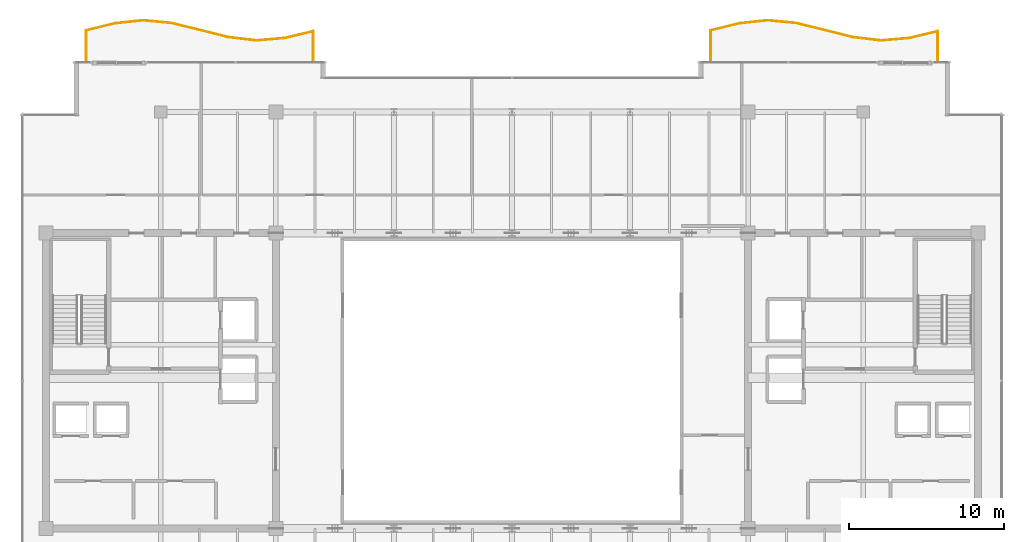
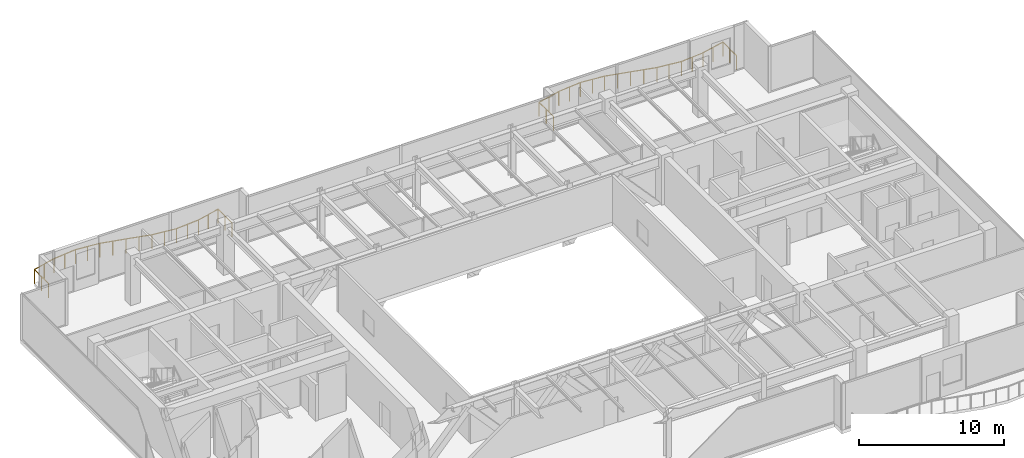
# One storey, part 31 of 31: 2 railings.
"""IFC4 building model written with IfcOpenShell, lengths in metres."""

from ifc_helpers import new_model, si_unit, direction, frame, origin, origin_2d, place, context, subcontext, project, spatial, circle, extrude, source, transform, mapped, material, type_object, type_shapes, element, save


model = new_model("IFC4")

# Units and contexts
model_context = context("Model", 3, precision=1e-05, world=origin(), true_north=direction((0.0, 1.0)))
body_context = subcontext(model_context, "Body", "Model", "MODEL_VIEW")
ifc_project = project(units=[si_unit("LENGTHUNIT", "METRE"), si_unit("AREAUNIT", "SQUARE_METRE"), si_unit("VOLUMEUNIT", "CUBIC_METRE"), si_unit("PLANEANGLEUNIT", "RADIAN"), si_unit("MASSUNIT", "GRAM", prefix="KILO")], contexts=[model_context])

# Site, building, storey
site_placement = place(None, origin())
site = spatial("IfcSite", under=ifc_project, at=site_placement, CompositionType="ELEMENT")
building_placement = place(site_placement, origin())
building = spatial("IfcBuilding", under=site, at=building_placement, Name="Haelvirn Gate Laboratories", CompositionType="ELEMENT")
storey_placement = place(building_placement, frame((0.0, 0.0, 310.199951171875)))
storey = spatial("IfcBuildingStorey", under=building, at=storey_placement, Name="L74", CompositionType="ELEMENT", Elevation=310.199951171875)

# Railings
ifc_material = material(Name="Laminated safety glass & bronze stainless steel 316L", Category="steel")
railing_type = type_object("IfcRailingType", Name="RLG-BAL-1200", PredefinedType="BALUSTRADE", material=ifc_material)
shared_shape_1 = source(origin(), body_context, "Body", "SweptSolid", [
    extrude(circle(Radius=0.02392578125, at=origin_2d()), frame((0.0, 0.0, 1.17578125), z_axis=(0.0, 1.0, 0.0), x_axis=(-1.0, 0.0, 0.0)), (0.0, 0.0, 1.0), 1.9501953125),
    extrude(circle(Radius=0.02392578125, at=origin_2d()), frame((0.0, 1.9501953125, 1.17578125), z_axis=(0.970348322391, 0.241710846327, 0.0), x_axis=(-0.241710846327, 0.970348322391, 0.0)), (0.0, 0.0, 1.0), 1.880615234375),
    extrude(circle(Radius=0.02392578125, at=origin_2d()), frame((1.824951171875, 2.40478515625, 1.17578125), z_axis=(0.994321727658, 0.106415703294, 0.0), x_axis=(-0.106415703294, 0.994321727658, 0.0)), (0.0, 0.0, 1.0), 1.83544921875),
    extrude(circle(Radius=0.02392578125, at=origin_2d()), frame((3.64990234375, 2.60009765625, 1.17578125), z_axis=(0.995381667027, -0.095996546539, 0.0), x_axis=(0.095996546539, 0.995381667027, 0.0)), (0.0, 0.0, 1.0), 1.833740234375),
    extrude(circle(Radius=0.02392578125, at=origin_2d()), frame((5.47509765625, 2.424072265625, 1.17578125), z_axis=(0.971375688338, -0.237548462646, 0.0), x_axis=(0.237548462646, 0.971375688338, 0.0)), (0.0, 0.0, 1.0), 1.878662109375),
    extrude(circle(Radius=0.02392578125, at=origin_2d()), frame((7.300048828125, 1.977783203125, 1.17578125), z_axis=(0.969367146089, -0.245616237417, 0.0), x_axis=(0.245616237417, 0.969367146089, 0.0)), (0.0, 0.0, 1.0), 1.882568359375),
    extrude(circle(Radius=0.02392578125, at=origin_2d()), frame((9.125, 1.515380859375, 1.17578125), z_axis=(0.993203107485, -0.116394103299, 0.0), x_axis=(0.116394103299, 0.993203107485, 0.0)), (0.0, 0.0, 1.0), 1.83740234375),
    extrude(circle(Radius=0.02392578125, at=origin_2d()), frame((10.949951171875, 1.301513671875, 1.17578125), z_axis=(0.996366066301, 0.085174303193, 0.0), x_axis=(-0.085174303193, 0.996366066301, 0.0)), (0.0, 0.0, 1.0), 1.83154296875),
    extrude(circle(Radius=0.02392578125, at=origin_2d()), frame((12.77490234375, 1.45751953125, 1.17578125), z_axis=(0.972453383633, 0.233097440272, 0.0), x_axis=(-0.233097440272, 0.972453383633, 0.0)), (0.0, 0.0, 1.0), 1.876953125),
    extrude(circle(Radius=0.02392578125, at=origin_2d()), frame((14.60009765625, 1.89501953125, 1.17578125), z_axis=(0.0, -1.0, 0.0), x_axis=(1.0, 0.0, 0.0)), (0.0, 0.0, 1.0), 1.89501953125),
    extrude(circle(Radius=0.02099609375, at=origin_2d()), origin(), (0.0, 0.0, 1.0), 1.15185546875),
    extrude(circle(Radius=0.02099609375, at=origin_2d()), frame((0.0, 0.97509765625, 0.0)), (0.0, 0.0, 1.0), 1.15185546875),
    extrude(circle(Radius=0.02099609375, at=origin_2d()), frame((0.0, 1.9501953125, 0.0)), (0.0, 0.0, 1.0), 1.15185546875),
    extrude(circle(Radius=0.02099609375, at=origin_2d()), frame((0.91259765625, 2.177490234375, 0.0)), (0.0, 0.0, 1.0), 1.15185546875),
    extrude(circle(Radius=0.02099609375, at=origin_2d()), frame((1.824951171875, 2.40478515625, 0.0)), (0.0, 0.0, 1.0), 1.15185546875),
    extrude(circle(Radius=0.02099609375, at=origin_2d()), frame((2.7373046875, 2.50244140625, 0.0)), (0.0, 0.0, 1.0), 1.15185546875),
    extrude(circle(Radius=0.02099609375, at=origin_2d()), frame((3.64990234375, 2.60009765625, 0.0)), (0.0, 0.0, 1.0), 1.15185546875),
    extrude(circle(Radius=0.02099609375, at=origin_2d()), frame((4.5625, 2.51220703125, 0.0)), (0.0, 0.0, 1.0), 1.15185546875),
    extrude(circle(Radius=0.02099609375, at=origin_2d()), frame((5.47509765625, 2.424072265625, 0.0)), (0.0, 0.0, 1.0), 1.15185546875),
    extrude(circle(Radius=0.02099609375, at=origin_2d()), frame((6.3876953125, 2.200927734375, 0.0)), (0.0, 0.0, 1.0), 1.15185546875),
    extrude(circle(Radius=0.02099609375, at=origin_2d()), frame((7.300048828125, 1.977783203125, 0.0)), (0.0, 0.0, 1.0), 1.15185546875),
    extrude(circle(Radius=0.02099609375, at=origin_2d()), frame((8.21240234375, 1.74658203125, 0.0)), (0.0, 0.0, 1.0), 1.15185546875),
    extrude(circle(Radius=0.02099609375, at=origin_2d()), frame((9.125, 1.515380859375, 0.0)), (0.0, 0.0, 1.0), 1.15185546875),
    extrude(circle(Radius=0.02099609375, at=origin_2d()), frame((10.03759765625, 1.408447265625, 0.0)), (0.0, 0.0, 1.0), 1.15185546875),
    extrude(circle(Radius=0.02099609375, at=origin_2d()), frame((10.949951171875, 1.301513671875, 0.0)), (0.0, 0.0, 1.0), 1.15185546875),
    extrude(circle(Radius=0.02099609375, at=origin_2d()), frame((11.8623046875, 1.37939453125, 0.0)), (0.0, 0.0, 1.0), 1.15185546875),
    extrude(circle(Radius=0.02099609375, at=origin_2d()), frame((12.77490234375, 1.45751953125, 0.0)), (0.0, 0.0, 1.0), 1.15185546875),
    extrude(circle(Radius=0.02099609375, at=origin_2d()), frame((13.6875, 1.67626953125, 0.0)), (0.0, 0.0, 1.0), 1.15185546875),
    extrude(circle(Radius=0.02099609375, at=origin_2d()), frame((14.60009765625, 1.89501953125, 0.0)), (0.0, 0.0, 1.0), 1.15185546875),
    extrude(circle(Radius=0.02099609375, at=origin_2d()), frame((14.60009765625, 0.947509765625, 0.0)), (0.0, 0.0, 1.0), 1.15185546875),
    extrude(circle(Radius=0.02099609375, at=origin_2d()), frame((14.60009765625, 0.0, 0.0)), (0.0, 0.0, 1.0), 1.15185546875),
])
railing_1_placement = place(storey_placement, frame((10.0, 44.89990234375, 0.0)))
element("IfcRailing", 1, at=railing_1_placement, inside=storey, type_object=railing_type, Name="L74 Wave Balcony Balustrade WL-N", PredefinedType="BALUSTRADE", context=body_context, shape_type="MappedRepresentation", body=[
    mapped(shared_shape_1, transform((0.0, 0.0, 0.0), scale=1.0)),
])
shared_shape_2 = source(origin(), body_context, "Body", "SweptSolid", [
    extrude(circle(Radius=0.02392578125, at=origin_2d()), frame((0.0, 0.0, 1.17578125), z_axis=(0.0, 1.0, 0.0), x_axis=(-1.0, 0.0, 0.0)), (0.0, 0.0, 1.0), 1.9501953125),
    extrude(circle(Radius=0.02392578125, at=origin_2d()), frame((0.0, 1.9501953125, 1.17578125), z_axis=(0.970348322391, 0.241710846327, 0.0), x_axis=(-0.241710846327, 0.970348322391, 0.0)), (0.0, 0.0, 1.0), 1.880615234375),
    extrude(circle(Radius=0.02392578125, at=origin_2d()), frame((1.824951171875, 2.40478515625, 1.17578125), z_axis=(0.994323233713, 0.106401630146, 0.0), x_axis=(-0.106401630146, 0.994323233713, 0.0)), (0.0, 0.0, 1.0), 1.835693359375),
    extrude(circle(Radius=0.02392578125, at=origin_2d()), frame((3.650146484375, 2.60009765625, 1.17578125), z_axis=(0.995380439819, -0.096009270516, 0.0), x_axis=(0.096009270516, 0.995380439819, 0.0)), (0.0, 0.0, 1.0), 1.83349609375),
    extrude(circle(Radius=0.02392578125, at=origin_2d()), frame((5.47509765625, 2.424072265625, 1.17578125), z_axis=(0.971375688338, -0.237548462646, 0.0), x_axis=(0.237548462646, 0.971375688338, 0.0)), (0.0, 0.0, 1.0), 1.878662109375),
    extrude(circle(Radius=0.02392578125, at=origin_2d()), frame((7.300048828125, 1.977783203125, 1.17578125), z_axis=(0.969367146089, -0.245616237417, 0.0), x_axis=(0.245616237417, 0.969367146089, 0.0)), (0.0, 0.0, 1.0), 1.882568359375),
    extrude(circle(Radius=0.02392578125, at=origin_2d()), frame((9.125, 1.515380859375, 1.17578125), z_axis=(0.993203107485, -0.116394103299, 0.0), x_axis=(0.116394103299, 0.993203107485, 0.0)), (0.0, 0.0, 1.0), 1.83740234375),
    extrude(circle(Radius=0.02392578125, at=origin_2d()), frame((10.949951171875, 1.301513671875, 1.17578125), z_axis=(0.996367033105, 0.085162992797, 0.0), x_axis=(-0.085162992797, 0.996367033105, 0.0)), (0.0, 0.0, 1.0), 1.831787109375),
    extrude(circle(Radius=0.02392578125, at=origin_2d()), frame((12.775146484375, 1.45751953125, 1.17578125), z_axis=(0.97244631465, 0.233126929211, 0.0), x_axis=(-0.233126929211, 0.97244631465, 0.0)), (0.0, 0.0, 1.0), 1.876708984375),
    extrude(circle(Radius=0.02392578125, at=origin_2d()), frame((14.60009765625, 1.89501953125, 1.17578125), z_axis=(0.0, -1.0, 0.0), x_axis=(1.0, 0.0, 0.0)), (0.0, 0.0, 1.0), 1.89501953125),
    extrude(circle(Radius=0.02099609375, at=origin_2d()), origin(), (0.0, 0.0, 1.0), 1.15185546875),
    extrude(circle(Radius=0.02099609375, at=origin_2d()), frame((0.0, 0.97509765625, 0.0)), (0.0, 0.0, 1.0), 1.15185546875),
    extrude(circle(Radius=0.02099609375, at=origin_2d()), frame((0.0, 1.9501953125, 0.0)), (0.0, 0.0, 1.0), 1.15185546875),
    extrude(circle(Radius=0.02099609375, at=origin_2d()), frame((0.91259765625, 2.177490234375, 0.0)), (0.0, 0.0, 1.0), 1.15185546875),
    extrude(circle(Radius=0.02099609375, at=origin_2d()), frame((1.824951171875, 2.40478515625, 0.0)), (0.0, 0.0, 1.0), 1.15185546875),
    extrude(circle(Radius=0.02099609375, at=origin_2d()), frame((2.737548828125, 2.50244140625, 0.0)), (0.0, 0.0, 1.0), 1.15185546875),
    extrude(circle(Radius=0.02099609375, at=origin_2d()), frame((3.650146484375, 2.60009765625, 0.0)), (0.0, 0.0, 1.0), 1.15185546875),
    extrude(circle(Radius=0.02099609375, at=origin_2d()), frame((4.5625, 2.51220703125, 0.0)), (0.0, 0.0, 1.0), 1.15185546875),
    extrude(circle(Radius=0.02099609375, at=origin_2d()), frame((5.47509765625, 2.424072265625, 0.0)), (0.0, 0.0, 1.0), 1.15185546875),
    extrude(circle(Radius=0.02099609375, at=origin_2d()), frame((6.3876953125, 2.200927734375, 0.0)), (0.0, 0.0, 1.0), 1.15185546875),
    extrude(circle(Radius=0.02099609375, at=origin_2d()), frame((7.300048828125, 1.977783203125, 0.0)), (0.0, 0.0, 1.0), 1.15185546875),
    extrude(circle(Radius=0.02099609375, at=origin_2d()), frame((8.21240234375, 1.74658203125, 0.0)), (0.0, 0.0, 1.0), 1.15185546875),
    extrude(circle(Radius=0.02099609375, at=origin_2d()), frame((9.125, 1.515380859375, 0.0)), (0.0, 0.0, 1.0), 1.15185546875),
    extrude(circle(Radius=0.02099609375, at=origin_2d()), frame((10.03759765625, 1.408447265625, 0.0)), (0.0, 0.0, 1.0), 1.15185546875),
    extrude(circle(Radius=0.02099609375, at=origin_2d()), frame((10.949951171875, 1.301513671875, 0.0)), (0.0, 0.0, 1.0), 1.15185546875),
    extrude(circle(Radius=0.02099609375, at=origin_2d()), frame((11.862548828125, 1.37939453125, 0.0)), (0.0, 0.0, 1.0), 1.15185546875),
    extrude(circle(Radius=0.02099609375, at=origin_2d()), frame((12.775146484375, 1.45751953125, 0.0)), (0.0, 0.0, 1.0), 1.15185546875),
    extrude(circle(Radius=0.02099609375, at=origin_2d()), frame((13.6875, 1.67626953125, 0.0)), (0.0, 0.0, 1.0), 1.15185546875),
    extrude(circle(Radius=0.02099609375, at=origin_2d()), frame((14.60009765625, 1.89501953125, 0.0)), (0.0, 0.0, 1.0), 1.15185546875),
    extrude(circle(Radius=0.02099609375, at=origin_2d()), frame((14.60009765625, 0.947509765625, 0.0)), (0.0, 0.0, 1.0), 1.15185546875),
    extrude(circle(Radius=0.02099609375, at=origin_2d()), frame((14.60009765625, 0.0, 0.0)), (0.0, 0.0, 1.0), 1.15185546875),
])
type_shapes(railing_type, [shared_shape_1, shared_shape_2])
railing_2_placement = place(storey_placement, frame((50.199951171875, 44.89990234375, 0.0)))
element("IfcRailing", 2, at=railing_2_placement, inside=storey, type_object=railing_type, Name="L74 Wave Balcony Balustrade EL-N", PredefinedType="BALUSTRADE", context=body_context, shape_type="MappedRepresentation", body=[
    mapped(shared_shape_2, transform((0.0, 0.0, 0.0), scale=1.0)),
])

save(model, "model.ifc")
